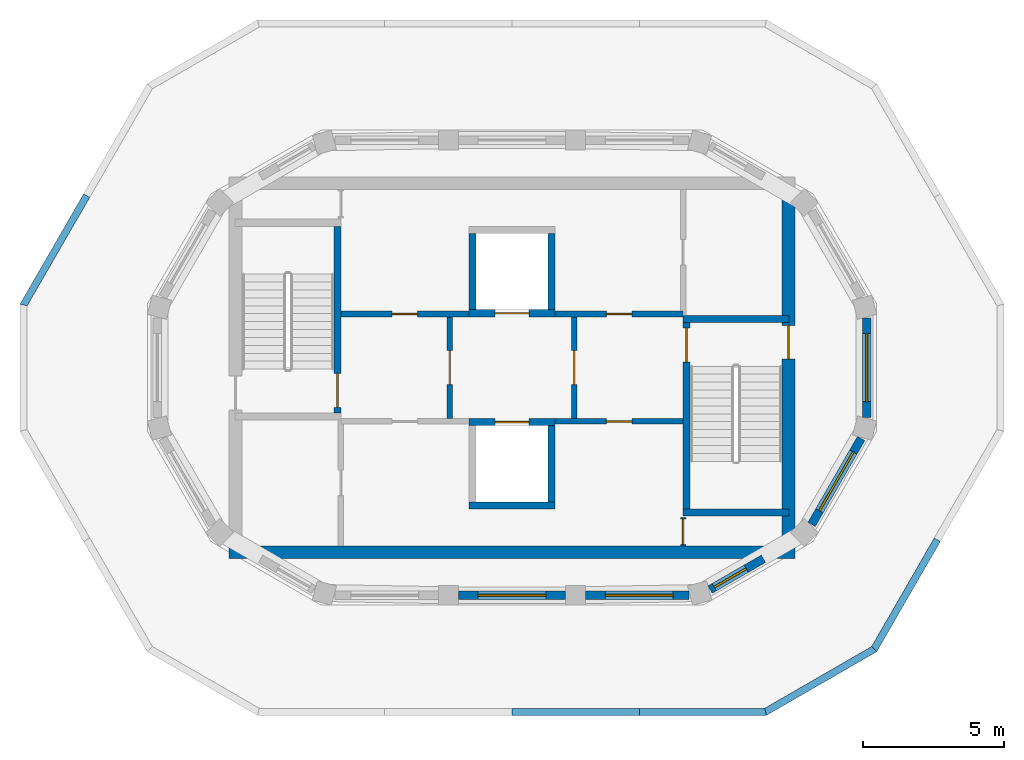
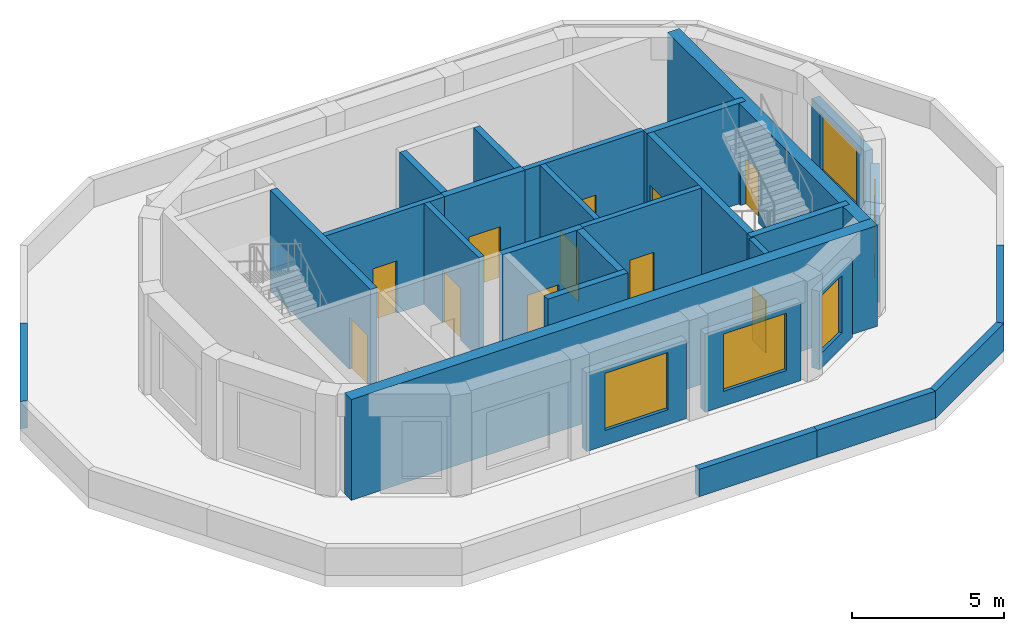
# One storey, part 2 of 4: 28 walls, 11 doors, 5 windows, 16 openings.
"""IFC4 building model written with IfcOpenShell, lengths in metres."""

from ifc_helpers import new_model, si_unit, direction, frame, frame_2d, origin, place, context, subcontext, project, spatial, polyline, rectangle, outline, extrude, material, layer, layer_set, type_object, element, fill, save


model = new_model("IFC4")

# Units and contexts
model_context = context("Model", 3, precision=1e-05, world=origin(), true_north=direction((0.0, 1.0)))
body_context = subcontext(model_context, "Body", "Model", "MODEL_VIEW")
ifc_project = project(units=[si_unit("LENGTHUNIT", "METRE"), si_unit("AREAUNIT", "SQUARE_METRE"), si_unit("VOLUMEUNIT", "CUBIC_METRE"), si_unit("PLANEANGLEUNIT", "RADIAN"), si_unit("MASSUNIT", "GRAM", prefix="KILO")], contexts=[model_context])

# Site, building, storey
site_placement = place(None, origin())
site = spatial("IfcSite", under=ifc_project, at=site_placement, CompositionType="ELEMENT")
building_placement = place(site_placement, origin())
building = spatial("IfcBuilding", under=site, at=building_placement, Name="Dhurran Vertical Campus", CompositionType="ELEMENT")
storey_placement = place(building_placement, frame((0.0, 0.0, 332.39990234375)))
storey = spatial("IfcBuildingStorey", under=building, at=storey_placement, Name="L81 Plant", CompositionType="ELEMENT", Elevation=332.39990234375)

# Wall, opening, window
ifc_material_1 = material(Name="Precast concrete C50/60", Category="concrete")
ifc_layer_1 = layer(ifc_material_1, 0.300048828125)
ifc_layer_set_1 = layer_set([ifc_layer_1], Name="Precast concrete C50/60")
wall_type_1 = type_object("IfcWallType", Name="Precast louvre-bay wall 300", PredefinedType="SOLIDWALL", material=ifc_layer_set_1)
wall_1_placement = place(storey_placement, frame((-1.8994140625, -8.047119140625, 0.0), z_axis=(0.0, 0.0, 1.0), x_axis=(1.0, 0.0, 0.0)))
wall_1 = element("IfcWall", 1, at=wall_1_placement, inside=storey, type_object=wall_type_1, Name="EW3 L81.01", PredefinedType="SOLIDWALL", context=body_context, shape_type="SweptSolid", body=[
    extrude(rectangle(XDim=3.798828125, YDim=0.300048828125, at=frame_2d((1.8994140625, 0.0))), origin(), (0.0, 0.0, 1.0), 3.150146484375),
])
opening_1_placement = place(wall_1_placement, frame((0.699462890625, 0.0, 0.60009765625)))
opening_1 = element("IfcOpeningElement", 2, at=opening_1_placement, cuts=wall_1, Name="Opening WT4", PredefinedType="OPENING", context=body_context, shape_type="SweptSolid", body=[
    extrude(rectangle(XDim=2.39990234375, YDim=2.300048828125, at=frame_2d((1.199951171875, 1.14990234375))), frame((0.0, 0.159912109375, 0.0), z_axis=(0.0, -1.0, 0.0), x_axis=(1.0, 0.0, 0.0)), (0.0, 0.0, 1.0), 0.320068359375),
])
ifc_material_2 = material(Name="Aluminium louvre", Category="aluminium")
window_type_1 = type_object("IfcWindowType", Name="Louvred plant vent 2400 x 2300", PartitioningType="SINGLE_PANEL", PredefinedType="WINDOW", material=ifc_material_2)
window_1_placement = place(opening_1_placement, origin())
window_1 = element("IfcWindow", 3, at=window_1_placement, inside=storey, type_object=window_type_1, Name="WT4 L81.01", OverallHeight=2.300048828125, OverallWidth=2.39990234375, PartitioningType="SINGLE_PANEL", PredefinedType="WINDOW", context=body_context, shape_type="SweptSolid", body=[
    extrude(rectangle(XDim=2.39990234375, YDim=2.300048828125, at=frame_2d((1.199951171875, 1.14990234375))), frame((0.0, 0.030029296875, 0.0), z_axis=(0.0, -1.0, 0.0), x_axis=(1.0, 0.0, 0.0)), (0.0, 0.0, 1.0), 0.06005859375),
])
fill(opening_1, window_1)

wall_2_placement = place(storey_placement, frame((2.6005859375, -8.047119140625, 0.0), z_axis=(0.0, 0.0, 1.0), x_axis=(1.0, 0.0, 0.0)))
wall_2 = element("IfcWall", 4, at=wall_2_placement, inside=storey, type_object=wall_type_1, Name="EW3 L81.02", PredefinedType="SOLIDWALL", context=body_context, shape_type="SweptSolid", body=[
    extrude(rectangle(XDim=3.65283203125, YDim=0.300048828125, at=frame_2d((1.826416015625, 0.0))), origin(), (0.0, 0.0, 1.0), 3.150146484375),
])
opening_2_placement = place(wall_2_placement, frame((0.699462890625, 0.0, 0.60009765625)))
opening_2 = element("IfcOpeningElement", 5, at=opening_2_placement, cuts=wall_2, Name="Opening WT4", PredefinedType="OPENING", context=body_context, shape_type="SweptSolid", body=[
    extrude(rectangle(XDim=2.39990234375, YDim=2.300048828125, at=frame_2d((1.199951171875, 1.14990234375))), frame((0.0, 0.159912109375, 0.0), z_axis=(0.0, -1.0, 0.0), x_axis=(1.0, 0.0, 0.0)), (0.0, 0.0, 1.0), 0.320068359375),
])
window_2_placement = place(opening_2_placement, origin())
window_2 = element("IfcWindow", 6, at=window_2_placement, inside=storey, type_object=window_type_1, Name="WT4 L81.02", OverallHeight=2.300048828125, OverallWidth=2.39990234375, PartitioningType="SINGLE_PANEL", PredefinedType="WINDOW", context=body_context, shape_type="SweptSolid", body=[
    extrude(rectangle(XDim=2.39990234375, YDim=2.300048828125, at=frame_2d((1.199951171875, 1.14990234375))), frame((0.0, 0.030029296875, 0.0), z_axis=(0.0, -1.0, 0.0), x_axis=(1.0, 0.0, 0.0)), (0.0, 0.0, 1.0), 0.06005859375),
])
fill(opening_2, window_2)

wall_3_placement = place(storey_placement, frame((7.0048828125, -7.845703125, 0.0), z_axis=(0.0, 0.0, 1.0), x_axis=(0.866060442015, 0.499939307093, 0.0)))
wall_3 = element("IfcWall", 7, at=wall_3_placement, inside=storey, type_object=wall_type_1, Name="EW3 L81.03", PredefinedType="SOLIDWALL", context=body_context, shape_type="SweptSolid", body=[
    extrude(rectangle(XDim=2.176513671875, YDim=0.300048828125, at=frame_2d((1.08837890625, 0.0))), origin(), (0.0, 0.0, 1.0), 3.150146484375),
])
opening_3_placement = place(wall_3_placement, frame((0.172607421875, 0.0, 0.60009765625)))
opening_3 = element("IfcOpeningElement", 8, at=opening_3_placement, cuts=wall_3, Name="Opening WT4", PredefinedType="OPENING", context=body_context, shape_type="SweptSolid", body=[
    extrude(rectangle(XDim=1.300048828125, YDim=2.300048828125, at=frame_2d((0.64990234375, 1.14990234375))), frame((0.0, 0.159912109375, 0.0), z_axis=(0.0, -1.0, 0.0), x_axis=(1.0, 0.0, 0.0)), (0.0, 0.0, 1.0), 0.320068359375),
])
ifc_material_3 = material(Name="Aluminium louvre", Category="aluminium")
window_type_2 = type_object("IfcWindowType", Name="Louvred plant vent 1300 x 2300", PartitioningType="SINGLE_PANEL", PredefinedType="WINDOW", material=ifc_material_3)
window_3_placement = place(opening_3_placement, origin())
window_3 = element("IfcWindow", 9, at=window_3_placement, inside=storey, type_object=window_type_2, Name="WT4 L81.03", OverallHeight=2.300048828125, OverallWidth=1.300048828125, PartitioningType="SINGLE_PANEL", PredefinedType="WINDOW", context=body_context, shape_type="SweptSolid", body=[
    extrude(rectangle(XDim=1.300048828125, YDim=2.300048828125, at=frame_2d((0.64990234375, 1.14990234375))), frame((0.0, 0.030029296875, 0.0), z_axis=(0.0, -1.0, 0.0), x_axis=(1.0, 0.0, 0.0)), (0.0, 0.0, 1.0), 0.06005859375),
])
fill(opening_3, window_3)

wall_4_placement = place(storey_placement, frame((10.59228515625, -5.5419921875, 0.0), z_axis=(0.0, 0.0, 1.0), x_axis=(0.499987607361, 0.86603255856, 0.0)))
wall_4 = element("IfcWall", 10, at=wall_4_placement, inside=storey, type_object=wall_type_1, Name="EW3 L81.04", PredefinedType="SOLIDWALL", context=body_context, shape_type="SweptSolid", body=[
    extrude(rectangle(XDim=3.5068359375, YDim=0.300048828125, at=frame_2d((1.75341796875, 0.0))), origin(), (0.0, 0.0, 1.0), 3.150146484375),
])
opening_4_placement = place(wall_4_placement, frame((0.553466796875, 0.0, 0.60009765625)))
opening_4 = element("IfcOpeningElement", 11, at=opening_4_placement, cuts=wall_4, Name="Opening WT4", PredefinedType="OPENING", context=body_context, shape_type="SweptSolid", body=[
    extrude(rectangle(XDim=2.39990234375, YDim=2.300048828125, at=frame_2d((1.199951171875, 1.14990234375))), frame((0.0, 0.159912109375, 0.0), z_axis=(0.0, -1.0, 0.0), x_axis=(1.0, 0.0, 0.0)), (0.0, 0.0, 1.0), 0.320068359375),
])
window_4_placement = place(opening_4_placement, origin())
window_4 = element("IfcWindow", 12, at=window_4_placement, inside=storey, type_object=window_type_1, Name="WT4 L81.04", OverallHeight=2.300048828125, OverallWidth=2.39990234375, PartitioningType="SINGLE_PANEL", PredefinedType="WINDOW", context=body_context, shape_type="SweptSolid", body=[
    extrude(rectangle(XDim=2.39990234375, YDim=2.300048828125, at=frame_2d((1.199951171875, 1.14990234375))), frame((0.0, 0.030029296875, 0.0), z_axis=(0.0, -1.0, 0.0), x_axis=(1.0, 0.0, 0.0)), (0.0, 0.0, 1.0), 0.06005859375),
])
fill(opening_4, window_4)

wall_5_placement = place(storey_placement, frame((12.547119140625, -1.75341796875, 0.0), z_axis=(0.0, 0.0, 1.0), x_axis=(0.0, 1.0, 0.0)))
wall_5 = element("IfcWall", 13, at=wall_5_placement, inside=storey, type_object=wall_type_1, Name="EW3 L81.05", PredefinedType="SOLIDWALL", context=body_context, shape_type="SweptSolid", body=[
    extrude(rectangle(XDim=3.5068359375, YDim=0.300048828125, at=frame_2d((1.75341796875, 0.0))), origin(), (0.0, 0.0, 1.0), 3.150146484375),
])
opening_5_placement = place(wall_5_placement, frame((0.553466796875, 0.0, 0.60009765625)))
opening_5 = element("IfcOpeningElement", 14, at=opening_5_placement, cuts=wall_5, Name="Opening WT4", PredefinedType="OPENING", context=body_context, shape_type="SweptSolid", body=[
    extrude(rectangle(XDim=2.39990234375, YDim=2.300048828125, at=frame_2d((1.199951171875, 1.14990234375))), frame((0.0, 0.159912109375, 0.0), z_axis=(0.0, -1.0, 0.0), x_axis=(1.0, 0.0, 0.0)), (0.0, 0.0, 1.0), 0.320068359375),
])
window_5_placement = place(opening_5_placement, origin())
window_5 = element("IfcWindow", 15, at=window_5_placement, inside=storey, type_object=window_type_1, Name="WT4 L81.05", OverallHeight=2.300048828125, OverallWidth=2.39990234375, PartitioningType="SINGLE_PANEL", PredefinedType="WINDOW", context=body_context, shape_type="SweptSolid", body=[
    extrude(rectangle(XDim=2.39990234375, YDim=2.300048828125, at=frame_2d((1.199951171875, 1.14990234375))), frame((0.0, 0.030029296875, 0.0), z_axis=(0.0, -1.0, 0.0), x_axis=(1.0, 0.0, 0.0)), (0.0, 0.0, 1.0), 0.06005859375),
])
fill(opening_5, window_5)

# Walls
ifc_material_4 = material(Name="Precast concrete C50/60", Category="concrete")
ifc_layer_2 = layer(ifc_material_4, 0.25)
ifc_layer_set_2 = layer_set([ifc_layer_2], Name="Precast concrete C50/60")
wall_type_2 = type_object("IfcWallType", Name="Precast parapet 250", PredefinedType="PARAPET", material=ifc_layer_set_2)
wall_6_placement = place(storey_placement, origin())
element("IfcWall", 16, at=wall_6_placement, inside=storey, type_object=wall_type_2, Name="PW1 L81.02", PredefinedType="PARAPET", context=body_context, shape_type="SweptSolid", body=[
    extrude(outline(polyline([(0.0, -12.294189453125), (4.5, -12.294189453125), (4.5, -12.044189453125), (0.0, -12.044189453125), (0.0, -12.294189453125)])), origin(), (0.0, 0.0, 1.0), 1.10009765625),
])
wall_7_placement = place(storey_placement, origin())
element("IfcWall", 17, at=wall_7_placement, inside=storey, type_object=wall_type_2, Name="PW1 L81.03", PredefinedType="PARAPET", context=body_context, shape_type="SweptSolid", body=[
    extrude(outline(polyline([(4.5, -12.294189453125), (9.0, -12.294189453125), (8.93310546875, -12.044189453125), (4.5, -12.044189453125), (4.5, -12.294189453125)])), origin(), (0.0, 0.0, 1.0), 1.10009765625),
])
wall_8_placement = place(storey_placement, origin())
element("IfcWall", 18, at=wall_8_placement, inside=storey, type_object=wall_type_2, Name="PW1 L81.04", PredefinedType="PARAPET", context=body_context, shape_type="SweptSolid", body=[
    extrude(outline(polyline([(9.0, -12.294189453125), (12.897216796875, -10.044189453125), (12.714111328125, -9.861083984375), (8.93310546875, -12.044189453125), (9.0, -12.294189453125)])), origin(), (0.0, 0.0, 1.0), 1.10009765625),
])
wall_9_placement = place(storey_placement, origin())
element("IfcWall", 19, at=wall_9_placement, inside=storey, type_object=wall_type_2, Name="PW1 L81.05", PredefinedType="PARAPET", context=body_context, shape_type="SweptSolid", body=[
    extrude(outline(polyline([(12.897216796875, -10.044189453125), (15.147216796875, -6.147216796875), (14.9306640625, -6.022216796875), (12.714111328125, -9.861083984375), (12.897216796875, -10.044189453125)])), origin(), (0.0, 0.0, 1.0), 1.10009765625),
])
wall_10_placement = place(storey_placement, origin())
element("IfcWall", 20, at=wall_10_placement, inside=storey, type_object=wall_type_2, Name="PW1 L81.17", PredefinedType="PARAPET", context=body_context, shape_type="SweptSolid", body=[
    extrude(outline(polyline([(-15.147216796875, 6.147216796875), (-17.397216796875, 2.25), (-17.147216796875, 2.18310546875), (-14.9306640625, 6.022216796875), (-15.147216796875, 6.147216796875)])), origin(), (0.0, 0.0, 1.0), 1.10009765625),
])
ifc_material_5 = material(Name="Concrete C50/60", Category="concrete")
ifc_layer_3 = layer(ifc_material_5, 0.449951171875)
ifc_layer_set_3 = layer_set([ifc_layer_3], Name="Concrete C50/60")
wall_type_3 = type_object("IfcWallType", Name="co-CORE-WALL-C4-450", PredefinedType="SHEAR", material=ifc_layer_set_3)
wall_11_placement = place(storey_placement, frame((-10.0, -6.52490234375, 0.0), z_axis=(0.0, 0.0, 1.0), x_axis=(1.0, 0.0, 0.0)))
element("IfcWall", 21, at=wall_11_placement, inside=storey, type_object=wall_type_3, Name="Core wall S L81", PredefinedType="SHEAR", context=body_context, shape_type="SweptSolid", body=[
    extrude(rectangle(XDim=20.0, YDim=0.449951171875, at=frame_2d((10.0, 0.0))), origin(), (0.0, 0.0, 1.0), 4.050048828125),
])

# Wall, opening, door
wall_12_placement = place(storey_placement, frame((9.77490234375, -6.300048828125, 0.0), z_axis=(0.0, 0.0, 1.0), x_axis=(0.0, 1.0, 0.0)))
wall_12 = element("IfcWall", 22, at=wall_12_placement, inside=storey, type_object=wall_type_3, Name="Core wall E L81", PredefinedType="SHEAR", context=body_context, shape_type="SweptSolid", body=[
    extrude(rectangle(XDim=12.60009765625, YDim=0.449951171875, at=frame_2d((6.300048828125, 0.0))), origin(), (0.0, 0.0, 1.0), 4.050048828125),
])
opening_6_placement = place(wall_12_placement, frame((6.60009765625, 0.0, 0.0)))
opening_6 = element("IfcOpeningElement", 23, at=opening_6_placement, cuts=wall_12, Name="Opening XD6", PredefinedType="OPENING", context=body_context, shape_type="SweptSolid", body=[
    extrude(rectangle(XDim=1.199951171875, YDim=2.10009765625, at=frame_2d((0.60009765625, 1.050048828125))), frame((0.0, 0.23486328125, 0.0), z_axis=(0.0, -1.0, 0.0), x_axis=(1.0, 0.0, 0.0)), (0.0, 0.0, 1.0), 0.469970703125),
])
ifc_material_6 = material(Name="Fire-rated steel door set", Category="steel")
door_type_1 = type_object("IfcDoorType", Name="co-D-STAIR-EXIT 1200x2100", OperationType="SINGLE_SWING_RIGHT", PredefinedType="DOOR", material=ifc_material_6)
door_1_placement = place(opening_6_placement, origin())
door_1 = element("IfcDoor", 24, at=door_1_placement, inside=storey, type_object=door_type_1, Name="Stair ST6 exit door L81", OperationType="SINGLE_SWING_RIGHT", OverallHeight=2.10009765625, OverallWidth=1.199951171875, PredefinedType="DOOR", context=body_context, shape_type="SweptSolid", body=[
    extrude(rectangle(XDim=1.199951171875, YDim=2.10009765625, at=frame_2d((0.60009765625, 1.050048828125))), frame((0.0, 0.02490234375, 0.0), z_axis=(0.0, -1.0, 0.0), x_axis=(1.0, 0.0, 0.0)), (0.0, 0.0, 1.0), 0.050048828125),
])
fill(opening_6, door_1)

ifc_material_7 = material(Name="Fire-rated masonry blockwork", Category="masonry")
ifc_layer_4 = layer(ifc_material_7, 0.199951171875)
ifc_layer_set_4 = layer_set([ifc_layer_4], Name="Fire-rated masonry blockwork")
wall_type_4 = type_object("IfcWallType", Name="co-FIRE-PARTITION-200", PredefinedType="PARTITIONING", material=ifc_layer_set_4)
wall_13_placement = place(storey_placement, frame((-2.199951171875, -1.800048828125, 0.0), z_axis=(0.0, 0.0, 1.0), x_axis=(0.0, 1.0, 0.0)))
wall_13 = element("IfcWall", 25, at=wall_13_placement, inside=storey, type_object=wall_type_4, Name="Firefighting lobby wall W L81", PredefinedType="PARTITIONING", context=body_context, shape_type="SweptSolid", body=[
    extrude(rectangle(XDim=3.60009765625, YDim=0.199951171875, at=frame_2d((1.800048828125, 0.0))), origin(), (0.0, 0.0, 1.0), 4.050048828125),
])
opening_7_placement = place(wall_13_placement, frame((1.199951171875, 0.0, 0.0)))
opening_7 = element("IfcOpeningElement", 26, at=opening_7_placement, cuts=wall_13, Name="Opening FL1", PredefinedType="OPENING", context=body_context, shape_type="SweptSolid", body=[
    extrude(rectangle(XDim=1.199951171875, YDim=2.10009765625, at=frame_2d((0.60009765625, 1.050048828125))), frame((0.0, 0.10986328125, 0.0), z_axis=(0.0, -1.0, 0.0), x_axis=(1.0, 0.0, 0.0)), (0.0, 0.0, 1.0), 0.219970703125),
])
ifc_material_8 = material(Name="Fire-rated steel door set", Category="steel")
door_type_2 = type_object("IfcDoorType", Name="co-D-FFLOBBY 1200x2100", OperationType="SINGLE_SWING_LEFT", PredefinedType="DOOR", material=ifc_material_8)
door_2_placement = place(opening_7_placement, origin())
door_2 = element("IfcDoor", 27, at=door_2_placement, inside=storey, type_object=door_type_2, Name="Firefighting lobby door W L81", OperationType="SINGLE_SWING_LEFT", OverallHeight=2.10009765625, OverallWidth=1.199951171875, PredefinedType="DOOR", context=body_context, shape_type="SweptSolid", body=[
    extrude(rectangle(XDim=1.199951171875, YDim=2.10009765625, at=frame_2d((0.60009765625, 1.050048828125))), frame((0.0, 0.02490234375, 0.0), z_axis=(0.0, -1.0, 0.0), x_axis=(1.0, 0.0, 0.0)), (0.0, 0.0, 1.0), 0.050048828125),
])
fill(opening_7, door_2)

wall_14_placement = place(storey_placement, frame((2.199951171875, -1.800048828125, 0.0), z_axis=(0.0, 0.0, 1.0), x_axis=(0.0, 1.0, 0.0)))
wall_14 = element("IfcWall", 28, at=wall_14_placement, inside=storey, type_object=wall_type_4, Name="Firefighting lobby wall E L81", PredefinedType="PARTITIONING", context=body_context, shape_type="SweptSolid", body=[
    extrude(rectangle(XDim=3.60009765625, YDim=0.199951171875, at=frame_2d((1.800048828125, 0.0))), origin(), (0.0, 0.0, 1.0), 4.050048828125),
])
opening_8_placement = place(wall_14_placement, frame((1.199951171875, 0.0, 0.0)))
opening_8 = element("IfcOpeningElement", 29, at=opening_8_placement, cuts=wall_14, Name="Opening FL2", PredefinedType="OPENING", context=body_context, shape_type="SweptSolid", body=[
    extrude(rectangle(XDim=1.199951171875, YDim=2.10009765625, at=frame_2d((0.60009765625, 1.050048828125))), frame((0.0, 0.10986328125, 0.0), z_axis=(0.0, -1.0, 0.0), x_axis=(1.0, 0.0, 0.0)), (0.0, 0.0, 1.0), 0.219970703125),
])
door_3_placement = place(opening_8_placement, origin())
door_3 = element("IfcDoor", 30, at=door_3_placement, inside=storey, type_object=door_type_2, Name="Firefighting lobby door E L81", OperationType="SINGLE_SWING_LEFT", OverallHeight=2.10009765625, OverallWidth=1.199951171875, PredefinedType="DOOR", context=body_context, shape_type="SweptSolid", body=[
    extrude(rectangle(XDim=1.199951171875, YDim=2.10009765625, at=frame_2d((0.60009765625, 1.050048828125))), frame((0.0, 0.02490234375, 0.0), z_axis=(0.0, -1.0, 0.0), x_axis=(1.0, 0.0, 0.0)), (0.0, 0.0, 1.0), 0.050048828125),
])
fill(opening_8, door_3)

wall_15_placement = place(storey_placement, frame((-6.050048828125, 1.89990234375, 0.0), z_axis=(0.0, 0.0, 1.0), x_axis=(1.0, 0.0, 0.0)))
wall_15 = element("IfcWall", 31, at=wall_15_placement, inside=storey, type_object=wall_type_4, Name="Core partition nwa-f L81", PredefinedType="PARTITIONING", context=body_context, shape_type="SweptSolid", body=[
    extrude(rectangle(XDim=4.525146484375, YDim=0.199951171875, at=frame_2d((2.2626953125, 0.0))), origin(), (0.0, 0.0, 1.0), 4.050048828125),
])
opening_9_placement = place(wall_15_placement, frame((1.8125, 0.0, 0.0)))
opening_9 = element("IfcOpeningElement", 32, at=opening_9_placement, cuts=wall_15, Name="Opening CR81-C1", PredefinedType="OPENING", context=body_context, shape_type="SweptSolid", body=[
    extrude(rectangle(XDim=0.89990234375, YDim=2.10009765625, at=frame_2d((0.449951171875, 1.050048828125))), frame((0.0, 0.10986328125, 0.0), z_axis=(0.0, -1.0, 0.0), x_axis=(1.0, 0.0, 0.0)), (0.0, 0.0, 1.0), 0.219970703125),
])
ifc_material_9 = material(Name="Fire-rated timber door set", Category="wood")
door_type_3 = type_object("IfcDoorType", Name="co-D-ROOM 900x2100", OperationType="SINGLE_SWING_LEFT", PredefinedType="DOOR", material=ifc_material_9)
door_4_placement = place(opening_9_placement, origin())
door_4 = element("IfcDoor", 33, at=door_4_placement, inside=storey, type_object=door_type_3, Name="nwa door L81", OperationType="SINGLE_SWING_LEFT", OverallHeight=2.10009765625, OverallWidth=0.89990234375, PredefinedType="DOOR", context=body_context, shape_type="SweptSolid", body=[
    extrude(rectangle(XDim=0.89990234375, YDim=2.10009765625, at=frame_2d((0.449951171875, 1.050048828125))), frame((0.0, 0.02490234375, 0.0), z_axis=(0.0, -1.0, 0.0), x_axis=(1.0, 0.0, 0.0)), (0.0, 0.0, 1.0), 0.050048828125),
])
fill(opening_9, door_4)

wall_16_placement = place(storey_placement, frame((1.52490234375, 1.89990234375, 0.0), z_axis=(0.0, 0.0, 1.0), x_axis=(1.0, 0.0, 0.0)))
wall_16 = element("IfcWall", 34, at=wall_16_placement, inside=storey, type_object=wall_type_4, Name="Core partition nea-f L81", PredefinedType="PARTITIONING", context=body_context, shape_type="SweptSolid", body=[
    extrude(rectangle(XDim=4.525146484375, YDim=0.199951171875, at=frame_2d((2.2626953125, 0.0))), origin(), (0.0, 0.0, 1.0), 4.050048828125),
])
opening_10_placement = place(wall_16_placement, frame((1.8125, 0.0, 0.0)))
opening_10 = element("IfcOpeningElement", 35, at=opening_10_placement, cuts=wall_16, Name="Opening CR81-C3", PredefinedType="OPENING", context=body_context, shape_type="SweptSolid", body=[
    extrude(rectangle(XDim=0.89990234375, YDim=2.10009765625, at=frame_2d((0.449951171875, 1.050048828125))), frame((0.0, 0.10986328125, 0.0), z_axis=(0.0, -1.0, 0.0), x_axis=(1.0, 0.0, 0.0)), (0.0, 0.0, 1.0), 0.219970703125),
])
door_5_placement = place(opening_10_placement, origin())
door_5 = element("IfcDoor", 36, at=door_5_placement, inside=storey, type_object=door_type_3, Name="nea door L81", OperationType="SINGLE_SWING_LEFT", OverallHeight=2.10009765625, OverallWidth=0.89990234375, PredefinedType="DOOR", context=body_context, shape_type="SweptSolid", body=[
    extrude(rectangle(XDim=0.89990234375, YDim=2.10009765625, at=frame_2d((0.449951171875, 1.050048828125))), frame((0.0, 0.02490234375, 0.0), z_axis=(0.0, -1.0, 0.0), x_axis=(1.0, 0.0, 0.0)), (0.0, 0.0, 1.0), 0.050048828125),
])
fill(opening_10, door_5)

wall_17_placement = place(storey_placement, frame((1.52490234375, -1.89990234375, 0.0), z_axis=(0.0, 0.0, 1.0), x_axis=(1.0, 0.0, 0.0)))
wall_17 = element("IfcWall", 37, at=wall_17_placement, inside=storey, type_object=wall_type_4, Name="Core partition sea-f L81", PredefinedType="PARTITIONING", context=body_context, shape_type="SweptSolid", body=[
    extrude(rectangle(XDim=4.525146484375, YDim=0.199951171875, at=frame_2d((2.2626953125, 0.0))), origin(), (0.0, 0.0, 1.0), 4.050048828125),
])
opening_11_placement = place(wall_17_placement, frame((1.8125, 0.0, 0.0)))
opening_11 = element("IfcOpeningElement", 38, at=opening_11_placement, cuts=wall_17, Name="Opening CR81-C4", PredefinedType="OPENING", context=body_context, shape_type="SweptSolid", body=[
    extrude(rectangle(XDim=0.89990234375, YDim=2.10009765625, at=frame_2d((0.449951171875, 1.050048828125))), frame((0.0, 0.10986328125, 0.0), z_axis=(0.0, -1.0, 0.0), x_axis=(1.0, 0.0, 0.0)), (0.0, 0.0, 1.0), 0.219970703125),
])
door_6_placement = place(opening_11_placement, origin())
door_6 = element("IfcDoor", 39, at=door_6_placement, inside=storey, type_object=door_type_3, Name="sea door L81", OperationType="SINGLE_SWING_LEFT", OverallHeight=2.10009765625, OverallWidth=0.89990234375, PredefinedType="DOOR", context=body_context, shape_type="SweptSolid", body=[
    extrude(rectangle(XDim=0.89990234375, YDim=2.10009765625, at=frame_2d((0.449951171875, 1.050048828125))), frame((0.0, 0.02490234375, 0.0), z_axis=(0.0, -1.0, 0.0), x_axis=(1.0, 0.0, 0.0)), (0.0, 0.0, 1.0), 0.050048828125),
])
fill(opening_11, door_6)

wall_18_placement = place(storey_placement, frame((6.050048828125, -6.300048828125, 0.0), z_axis=(0.0, 0.0, 1.0), x_axis=(0.0, 1.0, 0.0)))
wall_18 = element("IfcWall", 40, at=wall_18_placement, inside=storey, type_object=wall_type_4, Name="Core partition bes-d L81", PredefinedType="PARTITIONING", context=body_context, shape_type="SweptSolid", body=[
    extrude(rectangle(XDim=1.0, YDim=0.199951171875, at=frame_2d((0.5, 0.0))), origin(), (0.0, 0.0, 1.0), 4.050048828125),
])
opening_12_placement = place(wall_18_placement, frame((0.050048828125, 0.0, 0.0)))
opening_12 = element("IfcOpeningElement", 41, at=opening_12_placement, cuts=wall_18, Name="Opening CR81-C8", PredefinedType="OPENING", context=body_context, shape_type="SweptSolid", body=[
    extrude(rectangle(XDim=0.89990234375, YDim=2.10009765625, at=frame_2d((0.449951171875, 1.050048828125))), frame((0.0, 0.10986328125, 0.0), z_axis=(0.0, -1.0, 0.0), x_axis=(1.0, 0.0, 0.0)), (0.0, 0.0, 1.0), 0.219970703125),
])
door_7_placement = place(opening_12_placement, origin())
door_7 = element("IfcDoor", 42, at=door_7_placement, inside=storey, type_object=door_type_3, Name="Plant room door L81", OperationType="SINGLE_SWING_LEFT", OverallHeight=2.10009765625, OverallWidth=0.89990234375, PredefinedType="DOOR", context=body_context, shape_type="SweptSolid", body=[
    extrude(rectangle(XDim=0.89990234375, YDim=2.10009765625, at=frame_2d((0.449951171875, 1.050048828125))), frame((0.0, 0.02490234375, 0.0), z_axis=(0.0, -1.0, 0.0), x_axis=(1.0, 0.0, 0.0)), (0.0, 0.0, 1.0), 0.050048828125),
])
fill(opening_12, door_7)

ifc_material_10 = material(Name="Concrete C50/60", Category="concrete")
ifc_layer_5 = layer(ifc_material_10, 0.25)
ifc_layer_set_5 = layer_set([ifc_layer_5], Name="Concrete C50/60")
wall_type_5 = type_object("IfcWallType", Name="co-SHAFT-FRONT-250", PredefinedType="SHEAR", material=ifc_layer_set_5)
wall_19_placement = place(storey_placement, frame((-1.52490234375, 1.925048828125, 0.0), z_axis=(0.0, 0.0, 1.0), x_axis=(1.0, 0.0, 0.0)))
wall_19 = element("IfcWall", 43, at=wall_19_placement, inside=storey, type_object=wall_type_5, Name="Lift landing wall N L81", PredefinedType="SHEAR", context=body_context, shape_type="SweptSolid", body=[
    extrude(rectangle(XDim=3.0498046875, YDim=0.25, at=frame_2d((1.52490234375, 0.0))), origin(), (0.0, 0.0, 1.0), 4.050048828125),
])
opening_13_placement = place(wall_19_placement, frame((0.925048828125, 0.0, 0.0)))
opening_13 = element("IfcOpeningElement", 44, at=opening_13_placement, cuts=wall_19, Name="Opening LD", PredefinedType="OPENING", context=body_context, shape_type="SweptSolid", body=[
    extrude(rectangle(XDim=1.199951171875, YDim=2.10009765625, at=frame_2d((0.60009765625, 1.050048828125))), frame((0.0, 0.135009765625, 0.0), z_axis=(0.0, -1.0, 0.0), x_axis=(1.0, 0.0, 0.0)), (0.0, 0.0, 1.0), 0.27001953125),
])
ifc_material_11 = material(Name="Stainless steel landing door", Category="steel")
door_type_4 = type_object("IfcDoorType", Name="co-D-LANDING 1200x2100", OperationType="DOUBLE_DOOR_SLIDING", PredefinedType="DOOR", material=ifc_material_11)
door_8_placement = place(opening_13_placement, origin())
door_8 = element("IfcDoor", 45, at=door_8_placement, inside=storey, type_object=door_type_4, Name="Landing door FF1 L81", OperationType="DOUBLE_DOOR_SLIDING", OverallHeight=2.10009765625, OverallWidth=1.199951171875, PredefinedType="DOOR", context=body_context, shape_type="SweptSolid", body=[
    extrude(rectangle(XDim=1.199951171875, YDim=2.10009765625, at=frame_2d((0.60009765625, 1.050048828125))), frame((0.0, 0.02490234375, 0.0), z_axis=(0.0, -1.0, 0.0), x_axis=(1.0, 0.0, 0.0)), (0.0, 0.0, 1.0), 0.050048828125),
])
fill(opening_13, door_8)

wall_20_placement = place(storey_placement, frame((-1.52490234375, -1.925048828125, 0.0), z_axis=(0.0, 0.0, 1.0), x_axis=(1.0, 0.0, 0.0)))
wall_20 = element("IfcWall", 46, at=wall_20_placement, inside=storey, type_object=wall_type_5, Name="Lift landing wall S L81", PredefinedType="SHEAR", context=body_context, shape_type="SweptSolid", body=[
    extrude(rectangle(XDim=3.0498046875, YDim=0.25, at=frame_2d((1.52490234375, 0.0))), origin(), (0.0, 0.0, 1.0), 4.050048828125),
])
opening_14_placement = place(wall_20_placement, frame((0.925048828125, 0.0, 0.0)))
opening_14 = element("IfcOpeningElement", 47, at=opening_14_placement, cuts=wall_20, Name="Opening LD", PredefinedType="OPENING", context=body_context, shape_type="SweptSolid", body=[
    extrude(rectangle(XDim=1.199951171875, YDim=2.10009765625, at=frame_2d((0.60009765625, 1.050048828125))), frame((0.0, 0.135009765625, 0.0), z_axis=(0.0, -1.0, 0.0), x_axis=(1.0, 0.0, 0.0)), (0.0, 0.0, 1.0), 0.27001953125),
])
door_9_placement = place(opening_14_placement, origin())
door_9 = element("IfcDoor", 48, at=door_9_placement, inside=storey, type_object=door_type_4, Name="Landing door FF2 L81", OperationType="DOUBLE_DOOR_SLIDING", OverallHeight=2.10009765625, OverallWidth=1.199951171875, PredefinedType="DOOR", context=body_context, shape_type="SweptSolid", body=[
    extrude(rectangle(XDim=1.199951171875, YDim=2.10009765625, at=frame_2d((0.60009765625, 1.050048828125))), frame((0.0, 0.02490234375, 0.0), z_axis=(0.0, -1.0, 0.0), x_axis=(1.0, 0.0, 0.0)), (0.0, 0.0, 1.0), 0.050048828125),
])
fill(opening_14, door_9)

# Walls
ifc_material_12 = material(Name="Concrete C50/60", Category="concrete")
ifc_layer_6 = layer(ifc_material_12, 0.25)
ifc_layer_set_6 = layer_set([ifc_layer_6], Name="Concrete C50/60")
wall_type_6 = type_object("IfcWallType", Name="co-SHAFT-MASS-250", PredefinedType="SHEAR", material=ifc_layer_set_6)
wall_21_placement = place(storey_placement, origin())
element("IfcWall", 49, at=wall_21_placement, inside=storey, type_object=wall_type_6, Name="Lift shaft wall N L81 2", PredefinedType="SHEAR", context=body_context, shape_type="SweptSolid", body=[
    extrude(outline(polyline([(-1.52490234375, 2.050048828125), (-1.27490234375, 2.050048828125), (-1.27490234375, 4.75), (-1.52490234375, 4.75), (-1.52490234375, 2.050048828125)])), origin(), (0.0, 0.0, 1.0), 4.050048828125),
])
wall_22_placement = place(storey_placement, origin())
element("IfcWall", 50, at=wall_22_placement, inside=storey, type_object=wall_type_6, Name="Lift shaft wall N L81 3", PredefinedType="SHEAR", context=body_context, shape_type="SweptSolid", body=[
    extrude(outline(polyline([(1.27490234375, 2.050048828125), (1.52490234375, 2.050048828125), (1.52490234375, 4.75), (1.27490234375, 4.75), (1.27490234375, 2.050048828125)])), origin(), (0.0, 0.0, 1.0), 4.050048828125),
])
wall_23_placement = place(storey_placement, origin())
element("IfcWall", 51, at=wall_23_placement, inside=storey, type_object=wall_type_6, Name="Lift shaft wall S L81 1", PredefinedType="SHEAR", context=body_context, shape_type="SweptSolid", body=[
    extrude(outline(polyline([(-1.52490234375, -5.0), (1.52490234375, -5.0), (1.52490234375, -4.75), (-1.52490234375, -4.75), (-1.52490234375, -5.0)])), origin(), (0.0, 0.0, 1.0), 4.050048828125),
])
wall_24_placement = place(storey_placement, origin())
element("IfcWall", 52, at=wall_24_placement, inside=storey, type_object=wall_type_6, Name="Lift shaft wall S L81 3", PredefinedType="SHEAR", context=body_context, shape_type="SweptSolid", body=[
    extrude(outline(polyline([(1.27490234375, -4.75), (1.52490234375, -4.75), (1.52490234375, -2.050048828125), (1.27490234375, -2.050048828125), (1.27490234375, -4.75)])), origin(), (0.0, 0.0, 1.0), 4.050048828125),
])

# Wall, opening, door
ifc_material_13 = material(Name="Concrete C40/50", Category="concrete")
ifc_layer_7 = layer(ifc_material_13, 0.25)
ifc_layer_set_7 = layer_set([ifc_layer_7], Name="Concrete C40/50")
wall_type_7 = type_object("IfcWallType", Name="co-STAIR-WALL-250", PredefinedType="SHEAR", material=ifc_layer_set_7)
wall_25_placement = place(storey_placement, frame((-6.175048828125, -1.60009765625, 0.0), z_axis=(0.0, 0.0, 1.0), x_axis=(0.0, 1.0, 0.0)))
wall_25 = element("IfcWall", 53, at=wall_25_placement, inside=storey, type_object=wall_type_7, Name="Stair ST5 enclosure wall L81", PredefinedType="SHEAR", context=body_context, shape_type="SweptSolid", body=[
    extrude(rectangle(XDim=6.60009765625, YDim=0.25, at=frame_2d((3.300048828125, 0.0))), origin(), (0.0, 0.0, 1.0), 4.050048828125),
])
opening_15_placement = place(wall_25_placement, frame((0.199951171875, 0.0, 0.0)))
opening_15 = element("IfcOpeningElement", 54, at=opening_15_placement, cuts=wall_25, Name="Opening SD5", PredefinedType="OPENING", context=body_context, shape_type="SweptSolid", body=[
    extrude(rectangle(XDim=1.199951171875, YDim=2.10009765625, at=frame_2d((0.60009765625, 1.050048828125))), frame((0.0, 0.135009765625, 0.0), z_axis=(0.0, -1.0, 0.0), x_axis=(1.0, 0.0, 0.0)), (0.0, 0.0, 1.0), 0.27001953125),
])
ifc_material_14 = material(Name="Fire-rated steel door set", Category="steel")
door_type_5 = type_object("IfcDoorType", Name="co-D-STAIR 1200x2100", OperationType="SINGLE_SWING_LEFT", PredefinedType="DOOR", material=ifc_material_14)
door_10_placement = place(opening_15_placement, origin())
door_10 = element("IfcDoor", 55, at=door_10_placement, inside=storey, type_object=door_type_5, Name="Stair ST5 door L81", OperationType="SINGLE_SWING_LEFT", OverallHeight=2.10009765625, OverallWidth=1.199951171875, PredefinedType="DOOR", context=body_context, shape_type="SweptSolid", body=[
    extrude(rectangle(XDim=1.199951171875, YDim=2.10009765625, at=frame_2d((0.60009765625, 1.050048828125))), frame((0.0, 0.02490234375, 0.0), z_axis=(0.0, -1.0, 0.0), x_axis=(1.0, 0.0, 0.0)), (0.0, 0.0, 1.0), 0.050048828125),
])
fill(opening_15, door_10)

# Walls
for number, where, z_axis, x_axis, name in (
    (56, (6.050048828125, -5.125, 0.0), (0.0, 0.0, 1.0), (1.0, 0.0, 0.0), "Stair ST6 enclosure wall L81"),
    (57, (6.050048828125, 1.72509765625, 0.0), (0.0, 0.0, 1.0), (1.0, 0.0, 0.0), "Stair ST6 enclosure wall L81"),
):
    element("IfcWall", number, at=place(storey_placement, frame(where, z_axis=z_axis, x_axis=x_axis)), inside=storey, type_object=wall_type_7, Name=name, PredefinedType="SHEAR", context=body_context, shape_type="SweptSolid", body=[
        extrude(rectangle(XDim=3.75, YDim=0.25, at=frame_2d((1.875, 0.0))), origin(), (0.0, 0.0, 1.0), 4.050048828125),
    ])

# Wall, opening, door
wall_26_placement = place(storey_placement, frame((6.175048828125, -5.0, 0.0), z_axis=(0.0, 0.0, 1.0), x_axis=(0.0, 1.0, 0.0)))
wall_26 = element("IfcWall", 58, at=wall_26_placement, inside=storey, type_object=wall_type_7, Name="Stair ST6 enclosure wall L81", PredefinedType="SHEAR", context=body_context, shape_type="SweptSolid", body=[
    extrude(rectangle(XDim=6.60009765625, YDim=0.25, at=frame_2d((3.300048828125, 0.0))), origin(), (0.0, 0.0, 1.0), 4.050048828125),
])
opening_16_placement = place(wall_26_placement, frame((5.199951171875, 0.0, 0.0)))
opening_16 = element("IfcOpeningElement", 59, at=opening_16_placement, cuts=wall_26, Name="Opening SD6", PredefinedType="OPENING", context=body_context, shape_type="SweptSolid", body=[
    extrude(rectangle(XDim=1.199951171875, YDim=2.10009765625, at=frame_2d((0.60009765625, 1.050048828125))), frame((0.0, 0.135009765625, 0.0), z_axis=(0.0, -1.0, 0.0), x_axis=(1.0, 0.0, 0.0)), (0.0, 0.0, 1.0), 0.27001953125),
])
door_11_placement = place(opening_16_placement, origin())
door_11 = element("IfcDoor", 60, at=door_11_placement, inside=storey, type_object=door_type_5, Name="Stair ST6 door L81", OperationType="SINGLE_SWING_LEFT", OverallHeight=2.10009765625, OverallWidth=1.199951171875, PredefinedType="DOOR", context=body_context, shape_type="SweptSolid", body=[
    extrude(rectangle(XDim=1.199951171875, YDim=2.10009765625, at=frame_2d((0.60009765625, 1.050048828125))), frame((0.0, 0.02490234375, 0.0), z_axis=(0.0, -1.0, 0.0), x_axis=(1.0, 0.0, 0.0)), (0.0, 0.0, 1.0), 0.050048828125),
])
fill(opening_16, door_11)

save(model, "model.ifc")
